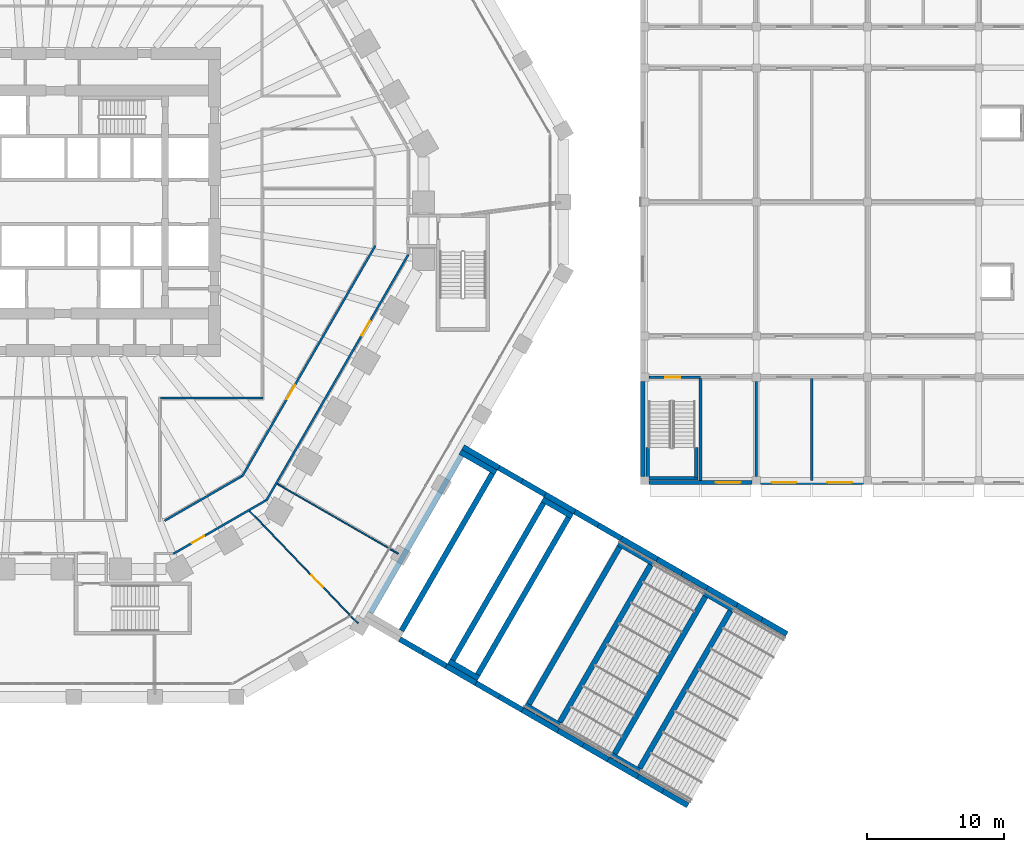
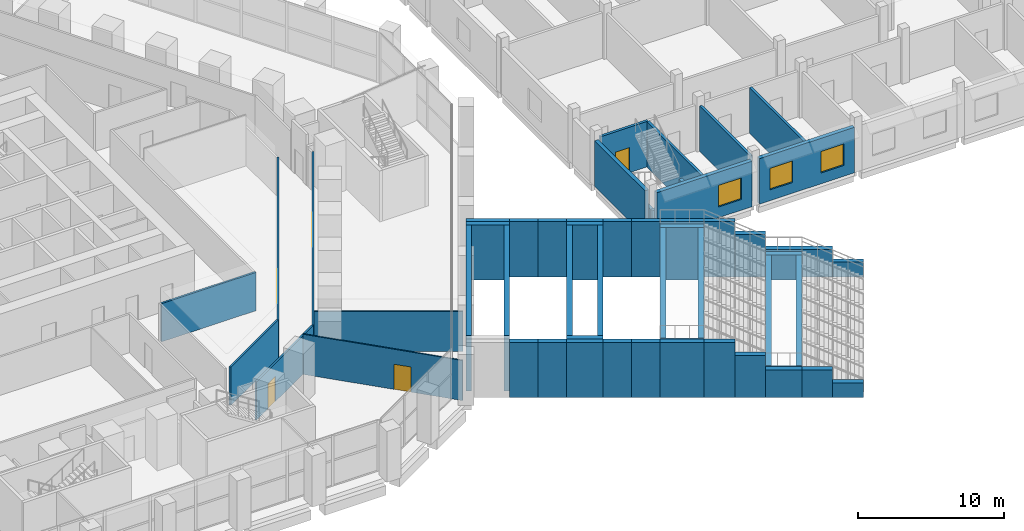
# One storey, part 22 of 38: 55 walls, 5 doors, 3 windows, 8 openings.
"""IFC4 building model written with IfcOpenShell, lengths in metres."""

from ifc_helpers import new_model, si_unit, direction, frame, frame_2d, origin, place, context, subcontext, project, spatial, rectangle, extrude, material, layer, layer_set, type_object, element, fill, save


model = new_model("IFC4")

# Units and contexts
model_context = context("Model", 3, precision=1e-05, world=origin(), true_north=direction((0.0, 1.0)))
body_context = subcontext(model_context, "Body", "Model", "MODEL_VIEW")
ifc_project = project(units=[si_unit("LENGTHUNIT", "METRE"), si_unit("AREAUNIT", "SQUARE_METRE"), si_unit("VOLUMEUNIT", "CUBIC_METRE"), si_unit("PLANEANGLEUNIT", "RADIAN"), si_unit("MASSUNIT", "GRAM", prefix="KILO")], contexts=[model_context])

# Site, building, storey
site_placement = place(None, origin())
site = spatial("IfcSite", under=ifc_project, at=site_placement, CompositionType="ELEMENT")
building_placement = place(site_placement, origin())
building = spatial("IfcBuilding", under=site, at=building_placement, Name="Frailejon Research Tower", CompositionType="ELEMENT")
storey_placement = place(building_placement, frame((0.0, 0.0, 5.60009765625)))
storey = spatial("IfcBuildingStorey", under=building, at=storey_placement, Name="L01", CompositionType="ELEMENT", Elevation=5.60009765625)

# Wall, opening, door
ifc_material_1 = material(Name="Gypsum board and masonry partition", Category="masonry")
ifc_layer_1 = layer(ifc_material_1, 0.14990234375)
ifc_layer_set_1 = layer_set([ifc_layer_1], Name="Corridor wall EI 60, gypsum on steel studs 150")
wall_type_1 = type_object("IfcWallType", Name="Corridor wall EI 60, gypsum on steel studs 150", PredefinedType="PARTITIONING", material=ifc_layer_set_1)
wall_1_placement = place(storey_placement, frame((10.206787109375, -25.58740234375, 0.0), z_axis=(0.0, 0.0, 1.0), x_axis=(0.866023143435, 0.50000391502, 0.0)))
wall_1 = element("IfcWall", 1, at=wall_1_placement, inside=storey, type_object=wall_type_1, Name="T:IW:L01:034", PredefinedType="PARTITIONING", context=body_context, shape_type="SweptSolid", body=[
    extrude(rectangle(XDim=7.7587890625, YDim=0.14990234375, at=frame_2d((3.87939453125, 0.0))), origin(), (0.0, 0.0, 1.0), 3.199951171875),
])
opening_1_placement = place(wall_1_placement, frame((1.564697265625, 0.0, 0.0)))
opening_1 = element("IfcOpeningElement", 2, at=opening_1_placement, cuts=wall_1, Name="Opening D1051", PredefinedType="OPENING", context=body_context, shape_type="SweptSolid", body=[
    extrude(rectangle(XDim=1.0, YDim=2.10009765625, at=frame_2d((0.5, 1.050048828125))), frame((0.0, 0.0849609375, 0.0), z_axis=(0.0, -1.0, 0.0), x_axis=(1.0, 0.0, 0.0)), (0.0, 0.0, 1.0), 0.169921875),
])
ifc_material_2 = material(Name="Timber door leaf", Category="wood")
door_type_1 = type_object("IfcDoorType", Name="Door single leaf, timber, steel frame 1000", OperationType="NOTDEFINED", PredefinedType="DOOR", material=ifc_material_2)
door_1_placement = place(opening_1_placement, origin())
door_1 = element("IfcDoor", 3, at=door_1_placement, inside=storey, type_object=door_type_1, Name="D1051", OperationType="SINGLE_SWING_RIGHT", OverallHeight=2.10009765625, OverallWidth=1.0, PredefinedType="DOOR", context=body_context, shape_type="SweptSolid", body=[
    extrude(rectangle(XDim=1.0, YDim=2.10009765625, at=frame_2d((0.5, 1.050048828125))), frame((0.0, 0.02490234375, 0.0), z_axis=(0.0, -1.0, 0.0), x_axis=(1.0, 0.0, 0.0)), (0.0, 0.0, 1.0), 0.050048828125),
])
fill(opening_1, door_1)

wall_2_placement = place(storey_placement, frame((16.95361328125, -21.735595703125, 0.0), z_axis=(0.0, 0.0, 1.0), x_axis=(0.499996491498, 0.86602742941, 0.0)))
wall_2 = element("IfcWall", 4, at=wall_2_placement, inside=storey, type_object=wall_type_1, Name="T:IW:L01:035", PredefinedType="PARTITIONING", context=body_context, shape_type="SweptSolid", body=[
    extrude(rectangle(XDim=20.693603515625, YDim=0.14990234375, at=frame_2d((10.3466796875, 0.0))), origin(), (0.0, 0.0, 1.0), 3.199951171875),
])
opening_2_placement = place(wall_2_placement, frame((13.895751953125, 0.0, 0.0)))
opening_2 = element("IfcOpeningElement", 5, at=opening_2_placement, cuts=wall_2, Name="Opening D1054", PredefinedType="OPENING", context=body_context, shape_type="SweptSolid", body=[
    extrude(rectangle(XDim=1.199951171875, YDim=2.10009765625, at=frame_2d((0.60009765625, 1.050048828125))), frame((0.0, 0.0849609375, 0.0), z_axis=(0.0, -1.0, 0.0), x_axis=(1.0, 0.0, 0.0)), (0.0, 0.0, 1.0), 0.169921875),
])
ifc_material_3 = material(Name="Timber door leaf", Category="wood")
door_type_2 = type_object("IfcDoorType", Name="Door single leaf, timber, steel frame 1200", OperationType="NOTDEFINED", PredefinedType="DOOR", material=ifc_material_3)
door_2_placement = place(opening_2_placement, origin())
door_2 = element("IfcDoor", 6, at=door_2_placement, inside=storey, type_object=door_type_2, Name="D1054", OperationType="DOUBLE_DOOR_SINGLE_SWING", OverallHeight=2.10009765625, OverallWidth=1.199951171875, PredefinedType="DOOR", context=body_context, shape_type="SweptSolid", body=[
    extrude(rectangle(XDim=1.199951171875, YDim=2.10009765625, at=frame_2d((0.60009765625, 1.050048828125))), frame((0.0, 0.02490234375, 0.0), z_axis=(0.0, -1.0, 0.0), x_axis=(1.0, 0.0, 0.0)), (0.0, 0.0, 1.0), 0.050048828125),
])
fill(opening_2, door_2)

# Wall
wall_3_placement = place(storey_placement, frame((9.563720703125, -23.1875, 0.0), z_axis=(0.0, 0.0, 1.0), x_axis=(0.866024786089, 0.500001069878, 0.0)))
element("IfcWall", 7, at=wall_3_placement, inside=storey, type_object=wall_type_1, Name="T:IW:L01:036", PredefinedType="PARTITIONING", context=body_context, shape_type="SweptSolid", body=[
    extrude(rectangle(XDim=6.47265625, YDim=0.14990234375, at=frame_2d((3.236328125, 0.0))), origin(), (0.0, 0.0, 1.0), 3.199951171875),
])

# Wall, opening, door
wall_4_placement = place(storey_placement, frame((15.19677734375, -19.978515625, 0.0), z_axis=(0.0, 0.0, 1.0), x_axis=(0.500000497866, 0.866025116341, 0.0)))
wall_4 = element("IfcWall", 8, at=wall_4_placement, inside=storey, type_object=wall_type_1, Name="T:IW:L01:037", PredefinedType="PARTITIONING", context=body_context, shape_type="SweptSolid", body=[
    extrude(rectangle(XDim=19.4072265625, YDim=0.14990234375, at=frame_2d((9.70361328125, 0.0))), origin(), (0.0, 0.0, 1.0), 3.199951171875),
])
opening_3_placement = place(wall_4_placement, frame((6.5, 0.0, 0.0)))
opening_3 = element("IfcOpeningElement", 9, at=opening_3_placement, cuts=wall_4, Name="Opening D1053", PredefinedType="OPENING", context=body_context, shape_type="SweptSolid", body=[
    extrude(rectangle(XDim=1.199951171875, YDim=2.10009765625, at=frame_2d((0.60009765625, 1.050048828125))), frame((0.0, 0.0849609375, 0.0), z_axis=(0.0, -1.0, 0.0), x_axis=(1.0, 0.0, 0.0)), (0.0, 0.0, 1.0), 0.169921875),
])
door_3_placement = place(opening_3_placement, origin())
door_3 = element("IfcDoor", 10, at=door_3_placement, inside=storey, type_object=door_type_2, Name="D1053", OperationType="DOUBLE_DOOR_SINGLE_SWING", OverallHeight=2.10009765625, OverallWidth=1.199951171875, PredefinedType="DOOR", context=body_context, shape_type="SweptSolid", body=[
    extrude(rectangle(XDim=1.199951171875, YDim=2.10009765625, at=frame_2d((0.60009765625, 1.050048828125))), frame((0.0, 0.02490234375, 0.0), z_axis=(0.0, -1.0, 0.0), x_axis=(1.0, 0.0, 0.0)), (0.0, 0.0, 1.0), 0.050048828125),
])
fill(opening_3, door_3)

# Wall
wall_5_placement = place(storey_placement, frame((9.27490234375, -14.25, 0.0), z_axis=(0.0, 0.0, 1.0), x_axis=(1.0, 0.0, 0.0)))
element("IfcWall", 11, at=wall_5_placement, inside=storey, type_object=wall_type_1, Name="T:IW:L01:049", PredefinedType="PARTITIONING", context=body_context, shape_type="SweptSolid", body=[
    extrude(rectangle(XDim=7.4501953125, YDim=0.14990234375, at=frame_2d((3.72509765625, 0.0))), origin(), (0.0, 0.0, 1.0), 3.199951171875),
])

# Wall, opening, window
ifc_material_4 = material(Name="Insulated masonry cavity wall", Category="masonry")
ifc_layer_2 = layer(ifc_material_4, 0.300048828125)
ifc_layer_set_2 = layer_set([ifc_layer_2], Name="HC facade wall 300")
wall_type_2 = type_object("IfcWallType", Name="HC facade wall 300", PredefinedType="SOLIDWALL", material=ifc_layer_set_2)
wall_6_placement = place(storey_placement, frame((44.800048828125, -20.39990234375, 0.0), z_axis=(0.0, 0.0, 1.0), x_axis=(1.0, 0.0, 0.0)))
wall_6 = element("IfcWall", 12, at=wall_6_placement, inside=storey, type_object=wall_type_2, Name="HC facade wall", PredefinedType="SOLIDWALL", context=body_context, shape_type="SweptSolid", body=[
    extrude(rectangle(XDim=7.5, YDim=0.300048828125, at=frame_2d((3.75, 0.0))), origin(), (0.0, 0.0, 1.0), 3.7998046875),
])
opening_4_placement = place(wall_6_placement, frame((4.875, 0.0, 0.89990234375)))
opening_4 = element("IfcOpeningElement", 13, at=opening_4_placement, cuts=wall_6, Name="Opening HW101", PredefinedType="OPENING", context=body_context, shape_type="SweptSolid", body=[
    extrude(rectangle(XDim=1.800048828125, YDim=1.800048828125, at=frame_2d((0.89990234375, 0.89990234375))), frame((0.0, 0.159912109375, 0.0), z_axis=(0.0, -1.0, 0.0), x_axis=(1.0, 0.0, 0.0)), (0.0, 0.0, 1.0), 0.320068359375),
])
ifc_material_5 = material(Name="Aluminium framed double glazing", Category="aluminium")
window_type = type_object("IfcWindowType", Name="HC window 1800x1800", PartitioningType="SINGLE_PANEL", PredefinedType="WINDOW", material=ifc_material_5)
window_1_placement = place(opening_4_placement, origin())
window_1 = element("IfcWindow", 14, at=window_1_placement, inside=storey, type_object=window_type, Name="Window HW101 (HCW1)", OverallHeight=1.800048828125, OverallWidth=1.800048828125, PartitioningType="SINGLE_PANEL", PredefinedType="WINDOW", context=body_context, shape_type="SweptSolid", body=[
    extrude(rectangle(XDim=1.800048828125, YDim=1.800048828125, at=frame_2d((0.89990234375, 0.89990234375))), frame((0.0, 0.030029296875, 0.0), z_axis=(0.0, -1.0, 0.0), x_axis=(1.0, 0.0, 0.0)), (0.0, 0.0, 1.0), 0.06005859375),
])
fill(opening_4, window_1)

# Wall, openings, windows
wall_7_placement = place(storey_placement, frame((52.89990234375, -20.39990234375, 0.0), z_axis=(0.0, 0.0, 1.0), x_axis=(1.0, 0.0, 0.0)))
wall_7 = element("IfcWall", 15, at=wall_7_placement, inside=storey, type_object=wall_type_2, Name="HC facade wall", PredefinedType="SOLIDWALL", context=body_context, shape_type="SweptSolid", body=[
    extrude(rectangle(XDim=7.5, YDim=0.300048828125, at=frame_2d((3.75, 0.0))), origin(), (0.0, 0.0, 1.0), 3.7998046875),
])
opening_5_placement = place(wall_7_placement, frame((0.824951171875, 0.0, 0.89990234375)))
opening_5 = element("IfcOpeningElement", 16, at=opening_5_placement, cuts=wall_7, Name="Opening HW102", PredefinedType="OPENING", context=body_context, shape_type="SweptSolid", body=[
    extrude(rectangle(XDim=1.800048828125, YDim=1.800048828125, at=frame_2d((0.89990234375, 0.89990234375))), frame((0.0, 0.159912109375, 0.0), z_axis=(0.0, -1.0, 0.0), x_axis=(1.0, 0.0, 0.0)), (0.0, 0.0, 1.0), 0.320068359375),
])
opening_6_placement = place(wall_7_placement, frame((4.875, 0.0, 0.89990234375)))
opening_6 = element("IfcOpeningElement", 17, at=opening_6_placement, cuts=wall_7, Name="Opening HW103", PredefinedType="OPENING", context=body_context, shape_type="SweptSolid", body=[
    extrude(rectangle(XDim=1.800048828125, YDim=1.800048828125, at=frame_2d((0.89990234375, 0.89990234375))), frame((0.0, 0.159912109375, 0.0), z_axis=(0.0, -1.0, 0.0), x_axis=(1.0, 0.0, 0.0)), (0.0, 0.0, 1.0), 0.320068359375),
])
window_2_placement = place(opening_5_placement, origin())
window_2 = element("IfcWindow", 18, at=window_2_placement, inside=storey, type_object=window_type, Name="Window HW102 (HCW1)", OverallHeight=1.800048828125, OverallWidth=1.800048828125, PartitioningType="SINGLE_PANEL", PredefinedType="WINDOW", context=body_context, shape_type="SweptSolid", body=[
    extrude(rectangle(XDim=1.800048828125, YDim=1.800048828125, at=frame_2d((0.89990234375, 0.89990234375))), frame((0.0, 0.030029296875, 0.0), z_axis=(0.0, -1.0, 0.0), x_axis=(1.0, 0.0, 0.0)), (0.0, 0.0, 1.0), 0.06005859375),
])
fill(opening_5, window_2)
window_3_placement = place(opening_6_placement, origin())
window_3 = element("IfcWindow", 19, at=window_3_placement, inside=storey, type_object=window_type, Name="Window HW103 (HCW1)", OverallHeight=1.800048828125, OverallWidth=1.800048828125, PartitioningType="SINGLE_PANEL", PredefinedType="WINDOW", context=body_context, shape_type="SweptSolid", body=[
    extrude(rectangle(XDim=1.800048828125, YDim=1.800048828125, at=frame_2d((0.89990234375, 0.89990234375))), frame((0.0, 0.030029296875, 0.0), z_axis=(0.0, -1.0, 0.0), x_axis=(1.0, 0.0, 0.0)), (0.0, 0.0, 1.0), 0.06005859375),
])
fill(opening_6, window_3)

# Wall
wall_8_placement = place(storey_placement, frame((44.35009765625, -19.949951171875, 0.0), z_axis=(0.0, 0.0, 1.0), x_axis=(0.0, 1.0, 0.0)))
element("IfcWall", 20, at=wall_8_placement, inside=storey, type_object=wall_type_2, Name="HC facade wall", PredefinedType="SOLIDWALL", context=body_context, shape_type="SweptSolid", body=[
    extrude(rectangle(XDim=6.89990234375, YDim=0.300048828125, at=frame_2d((3.449951171875, 0.0))), origin(), (0.0, 0.0, 1.0), 3.7998046875),
])

# Wall, opening, door
ifc_material_6 = material(Name="Concrete C35/45", Category="concrete")
ifc_layer_3 = layer(ifc_material_6, 0.199951171875)
ifc_layer_set_3 = layer_set([ifc_layer_3], Name="HC fire wall 200")
wall_type_3 = type_object("IfcWallType", Name="HC fire wall 200", PredefinedType="SOLIDWALL", material=ifc_layer_set_3)
wall_9_placement = place(storey_placement, frame((44.800048828125, -12.75, 0.0), z_axis=(0.0, 0.0, 1.0), x_axis=(1.0, 0.0, 0.0)))
wall_9 = element("IfcWall", 21, at=wall_9_placement, inside=storey, type_object=wall_type_3, Name="HC fire-resisting wall", PredefinedType="SOLIDWALL", context=body_context, shape_type="SweptSolid", body=[
    extrude(rectangle(XDim=3.75, YDim=0.199951171875, at=frame_2d((1.875, 0.0))), origin(), (0.0, 0.0, 1.0), 3.7998046875),
])
opening_7_placement = place(wall_9_placement, frame((1.175048828125, 0.0, 0.0)))
opening_7 = element("IfcOpeningElement", 22, at=opening_7_placement, cuts=wall_9, Name="Opening HD103", PredefinedType="OPENING", context=body_context, shape_type="SweptSolid", body=[
    extrude(rectangle(XDim=1.10009765625, YDim=2.10009765625, at=frame_2d((0.550048828125, 1.050048828125))), frame((0.0, 0.10986328125, 0.0), z_axis=(0.0, -1.0, 0.0), x_axis=(1.0, 0.0, 0.0)), (0.0, 0.0, 1.0), 0.219970703125),
])
ifc_material_7 = material(Name="Steel fire door leaf", Category="steel")
door_type_3 = type_object("IfcDoorType", Name="HC stair door 1100 right", OperationType="SINGLE_SWING_RIGHT", PredefinedType="DOOR", material=ifc_material_7)
door_4_placement = place(opening_7_placement, origin())
door_4 = element("IfcDoor", 23, at=door_4_placement, inside=storey, type_object=door_type_3, Name="Door HD103", OperationType="SINGLE_SWING_RIGHT", OverallHeight=2.10009765625, OverallWidth=1.10009765625, PredefinedType="DOOR", context=body_context, shape_type="SweptSolid", body=[
    extrude(rectangle(XDim=1.10009765625, YDim=2.10009765625, at=frame_2d((0.550048828125, 1.050048828125))), frame((0.0, 0.02490234375, 0.0), z_axis=(0.0, -1.0, 0.0), x_axis=(1.0, 0.0, 0.0)), (0.0, 0.0, 1.0), 0.050048828125),
])
fill(opening_7, door_4)

# Walls
wall_10_placement = place(storey_placement, frame((48.550048828125, -20.25, 0.0), z_axis=(0.0, 0.0, 1.0), x_axis=(0.0, 1.0, 0.0)))
element("IfcWall", 24, at=wall_10_placement, inside=storey, type_object=wall_type_3, Name="HC fire-resisting wall", PredefinedType="SOLIDWALL", context=body_context, shape_type="SweptSolid", body=[
    extrude(rectangle(XDim=7.39990234375, YDim=0.199951171875, at=frame_2d((3.699951171875, 0.0))), origin(), (0.0, 0.0, 1.0), 3.7998046875),
])
ifc_material_8 = material(Name="Masonry blockwork partition", Category="masonry")
ifc_layer_4 = layer(ifc_material_8, 0.199951171875)
ifc_layer_set_4 = layer_set([ifc_layer_4], Name="HC partition 200")
wall_type_4 = type_object("IfcWallType", Name="HC partition 200", PredefinedType="PARTITIONING", material=ifc_layer_set_4)
wall_11_placement = place(storey_placement, frame((52.60009765625, -19.949951171875, 0.0), z_axis=(0.0, 0.0, 1.0), x_axis=(0.0, 1.0, 0.0)))
element("IfcWall", 25, at=wall_11_placement, inside=storey, type_object=wall_type_4, Name="HC partition", PredefinedType="PARTITIONING", context=body_context, shape_type="SweptSolid", body=[
    extrude(rectangle(XDim=6.89990234375, YDim=0.199951171875, at=frame_2d((3.449951171875, 0.0))), origin(), (0.0, 0.0, 1.0), 3.7998046875),
])
wall_12_placement = place(storey_placement, frame((56.64990234375, -20.25, 0.0), z_axis=(0.0, 0.0, 1.0), x_axis=(0.0, 1.0, 0.0)))
element("IfcWall", 26, at=wall_12_placement, inside=storey, type_object=wall_type_4, Name="HC partition", PredefinedType="PARTITIONING", context=body_context, shape_type="SweptSolid", body=[
    extrude(rectangle(XDim=7.39990234375, YDim=0.199951171875, at=frame_2d((3.699951171875, 0.0))), origin(), (0.0, 0.0, 1.0), 3.7998046875),
])
ifc_material_9 = material(Name="Concrete C35/45", Category="concrete")
ifc_layer_5 = layer(ifc_material_9, 0.25)
ifc_layer_set_5 = layer_set([ifc_layer_5], Name="HC stair landing wall 250")
wall_type_5 = type_object("IfcWallType", Name="HC stair landing wall 250", PredefinedType="SOLIDWALL", material=ifc_layer_set_5)
for number, where, z_axis, x_axis, name in (
    (27, (44.72509765625, -20.02001953125, 0.0), (0.0, 0.0, 1.0), (0.0, 1.0, 0.0), "HC stair landing wall"),
    (28, (48.22509765625, -20.02001953125, 0.0), (0.0, 0.0, 1.0), (0.0, 1.0, 0.0), "HC stair landing wall"),
):
    element("IfcWall", number, at=place(storey_placement, frame(where, z_axis=z_axis, x_axis=x_axis)), inside=storey, type_object=wall_type_5, Name=name, PredefinedType="SOLIDWALL", context=body_context, shape_type="SweptSolid", body=[
        extrude(rectangle(XDim=2.159912109375, YDim=0.25, at=frame_2d((1.080078125, 0.0))), origin(), (0.0, 0.0, 1.0), 2.14990234375),
    ])
wall_13_placement = place(storey_placement, frame((44.60009765625, -20.094970703125, 0.0), z_axis=(0.0, 0.0, 1.0), x_axis=(1.0, 0.0, 0.0)))
element("IfcWall", 29, at=wall_13_placement, inside=storey, type_object=wall_type_5, Name="HC stair landing wall", PredefinedType="SOLIDWALL", context=body_context, shape_type="SweptSolid", body=[
    extrude(rectangle(XDim=3.75, YDim=0.25, at=frame_2d((1.875, 0.0))), origin(), (0.0, 0.0, 1.0), 2.14990234375),
])
ifc_material_10 = material(Name="Gypsum board and masonry partition", Category="masonry")
ifc_layer_6 = layer(ifc_material_10, 0.10009765625)
ifc_layer_set_6 = layer_set([ifc_layer_6], Name="Partition, gypsum on steel studs 100")
wall_type_6 = type_object("IfcWallType", Name="Partition, gypsum on steel studs 100", PredefinedType="PARTITIONING", material=ifc_layer_set_6)
wall_14_placement = place(storey_placement, frame((17.756591796875, -20.494873046875, 0.0), z_axis=(0.0, 0.0, 1.0), x_axis=(0.866028554658, -0.499994542487, 0.0)))
element("IfcWall", 30, at=wall_14_placement, inside=storey, type_object=wall_type_6, Name="T:IW:L01:080", PredefinedType="PARTITIONING", context=body_context, shape_type="SweptSolid", body=[
    extrude(rectangle(XDim=10.1748046875, YDim=0.10009765625, at=frame_2d((5.08740234375, 0.0))), origin(), (0.0, 0.0, 1.0), 3.349853515625),
])

# Wall, opening, door
wall_15_placement = place(storey_placement, frame((15.744140625, -22.474609375, 0.0), z_axis=(0.0, 0.0, 1.0), x_axis=(0.694530893364, -0.719462881713, 0.0)))
wall_15 = element("IfcWall", 31, at=wall_15_placement, inside=storey, type_object=wall_type_6, Name="T:IW:L01:087", PredefinedType="PARTITIONING", context=body_context, shape_type="SweptSolid", body=[
    extrude(rectangle(XDim=11.368896484375, YDim=0.10009765625, at=frame_2d((5.6845703125, 0.0))), origin(), (0.0, 0.0, 1.0), 3.349853515625),
])
opening_8_placement = place(wall_15_placement, frame((6.478515625, 0.0, 0.0)))
opening_8 = element("IfcOpeningElement", 32, at=opening_8_placement, cuts=wall_15, Name="Opening D1052", PredefinedType="OPENING", context=body_context, shape_type="SweptSolid", body=[
    extrude(rectangle(XDim=1.199951171875, YDim=2.10009765625, at=frame_2d((0.60009765625, 1.050048828125))), frame((0.0, 0.06005859375, 0.0), z_axis=(0.0, -1.0, 0.0), x_axis=(1.0, 0.0, 0.0)), (0.0, 0.0, 1.0), 0.1201171875),
])
door_5_placement = place(opening_8_placement, origin())
door_5 = element("IfcDoor", 33, at=door_5_placement, inside=storey, type_object=door_type_2, Name="D1052", OperationType="DOUBLE_DOOR_SINGLE_SWING", OverallHeight=2.10009765625, OverallWidth=1.199951171875, PredefinedType="DOOR", context=body_context, shape_type="SweptSolid", body=[
    extrude(rectangle(XDim=1.199951171875, YDim=2.10009765625, at=frame_2d((0.60009765625, 1.050048828125))), frame((0.0, 0.02490234375, 0.0), z_axis=(0.0, -1.0, 0.0), x_axis=(1.0, 0.0, 0.0)), (0.0, 0.0, 1.0), 0.050048828125),
])
fill(opening_8, door_5)

# Walls
ifc_material_11 = material(Name="Concrete C35/45", Category="concrete")
ifc_layer_7 = layer(ifc_material_11, 0.39990234375)
ifc_layer_set_7 = layer_set([ifc_layer_7], Name="Stair plinth wall 400")
wall_type_7 = type_object("IfcWallType", Name="Stair plinth wall 400", PredefinedType="SOLIDWALL", material=ifc_layer_set_7)
wall_16_placement = place(storey_placement, frame((31.076904296875, -18.173095703125, 0.0), z_axis=(0.0, 0.0, 1.0), x_axis=(0.866031096941, -0.499990139034, 0.0)))
element("IfcWall", 34, at=wall_16_placement, inside=storey, type_object=wall_type_7, Name="Broad stair E plinth", PredefinedType="SOLIDWALL", context=body_context, shape_type="SweptSolid", body=[
    extrude(rectangle(XDim=3.0, YDim=0.39990234375, at=frame_2d((1.5, 0.0))), origin(), (0.0, 0.0, 1.0), 4.599853515625),
])
for number, where, z_axis, x_axis, name in (
    (35, (24.550048828125, -29.8779296875, 0.0), (0.0, 0.0, 1.0), (0.500002094529, 0.866024194504, 0.0), "Broad stair E plinth"),
    (36, (26.8017578125, -31.177978515625, 0.0), (0.0, 0.0, 1.0), (0.500002094529, 0.866024194504, 0.0), "Broad stair E plinth"),
):
    element("IfcWall", number, at=place(storey_placement, frame(where, z_axis=z_axis, x_axis=x_axis)), inside=storey, type_object=wall_type_7, Name=name, PredefinedType="SOLIDWALL", context=body_context, shape_type="SweptSolid", body=[
        extrude(rectangle(XDim=13.2001953125, YDim=0.39990234375, at=frame_2d((6.60009765625, 0.0))), origin(), (0.0, 0.0, 1.0), 4.599853515625),
    ])
for number, where, z_axis, x_axis, name in (
    (37, (30.25244140625, -33.401123046875, 0.0), (0.0, 0.0, 1.0), (0.866022959057, -0.500004234368, 0.0), "Broad stair E plinth"),
    (38, (37.052490234375, -21.623291015625, 0.0), (0.0, 0.0, 1.0), (0.866022959057, -0.500004234368, 0.0), "Broad stair E plinth"),
):
    element("IfcWall", number, at=place(storey_placement, frame(where, z_axis=z_axis, x_axis=x_axis)), inside=storey, type_object=wall_type_7, Name=name, PredefinedType="SOLIDWALL", context=body_context, shape_type="SweptSolid", body=[
        extrude(rectangle(XDim=2.5, YDim=0.39990234375, at=frame_2d((1.25, 0.0))), origin(), (0.0, 0.0, 1.0), 4.599853515625),
    ])
wall_17_placement = place(storey_placement, frame((30.525634765625, -33.327880859375, 0.0), z_axis=(0.0, 0.0, 1.0), x_axis=(0.500010103361, 0.866019570528, 0.0)))
element("IfcWall", 39, at=wall_17_placement, inside=storey, type_object=wall_type_7, Name="Broad stair E plinth", PredefinedType="SOLIDWALL", context=body_context, shape_type="SweptSolid", body=[
    extrude(rectangle(XDim=13.199951171875, YDim=0.39990234375, at=frame_2d((6.60009765625, 0.0))), origin(), (0.0, 0.0, 1.0), 4.599853515625),
])
wall_18_placement = place(storey_placement, frame((32.34423828125, -34.3779296875, 0.0), z_axis=(0.0, 0.0, 1.0), x_axis=(0.500002094529, 0.866024194504, 0.0)))
element("IfcWall", 40, at=wall_18_placement, inside=storey, type_object=wall_type_7, Name="Broad stair E plinth", PredefinedType="SOLIDWALL", context=body_context, shape_type="SweptSolid", body=[
    extrude(rectangle(XDim=13.2001953125, YDim=0.39990234375, at=frame_2d((6.60009765625, 0.0))), origin(), (0.0, 0.0, 1.0), 4.599853515625),
])
for number, where, z_axis, x_axis, name in (
    (41, (35.795166015625, -36.601318359375, 0.0), (0.0, 0.0, 1.0), (0.866010750942, -0.50002537861, 0.0), "Broad stair E plinth"),
    (42, (42.59521484375, -24.8232421875, 0.0), (0.0, 0.0, 1.0), (0.866010750942, -0.50002537861, 0.0), "Broad stair E plinth"),
):
    element("IfcWall", number, at=place(storey_placement, frame(where, z_axis=z_axis, x_axis=x_axis)), inside=storey, type_object=wall_type_7, Name=name, PredefinedType="SOLIDWALL", context=body_context, shape_type="SweptSolid", body=[
        extrude(rectangle(XDim=2.999755859375, YDim=0.39990234375, at=frame_2d((1.5, 0.0))), origin(), (0.0, 0.0, 1.0), 4.39990234375),
    ])
wall_19_placement = place(storey_placement, frame((36.068359375, -36.52783203125, 0.0), z_axis=(0.0, 0.0, 1.0), x_axis=(0.499996231654, 0.866027579429, 0.0)))
element("IfcWall", 43, at=wall_19_placement, inside=storey, type_object=wall_type_7, Name="Broad stair E plinth", PredefinedType="SOLIDWALL", context=body_context, shape_type="SweptSolid", body=[
    extrude(rectangle(XDim=13.19970703125, YDim=0.39990234375, at=frame_2d((6.599853515625, 0.0))), origin(), (0.0, 0.0, 1.0), 4.39990234375),
])
wall_20_placement = place(storey_placement, frame((38.31982421875, -37.827880859375, 0.0), z_axis=(0.0, 0.0, 1.0), x_axis=(0.500010103361, 0.866019570528, 0.0)))
element("IfcWall", 44, at=wall_20_placement, inside=storey, type_object=wall_type_7, Name="Broad stair E plinth", PredefinedType="SOLIDWALL", context=body_context, shape_type="SweptSolid", body=[
    extrude(rectangle(XDim=13.199951171875, YDim=0.39990234375, at=frame_2d((6.60009765625, 0.0))), origin(), (0.0, 0.0, 1.0), 4.39990234375),
])
wall_21_placement = place(storey_placement, frame((42.030517578125, -40.201171875, 0.0), z_axis=(0.0, 0.0, 1.0), x_axis=(0.866022959057, -0.500004234368, 0.0)))
element("IfcWall", 45, at=wall_21_placement, inside=storey, type_object=wall_type_7, Name="Broad stair E plinth", PredefinedType="SOLIDWALL", context=body_context, shape_type="SweptSolid", body=[
    extrude(rectangle(XDim=2.5, YDim=0.39990234375, at=frame_2d((1.25, 0.0))), origin(), (0.0, 0.0, 1.0), 2.099853515625),
])
wall_22_placement = place(storey_placement, frame((48.830322265625, -28.423095703125, 0.0), z_axis=(0.0, 0.0, 1.0), x_axis=(0.866047370643, -0.499961950354, 0.0)))
element("IfcWall", 46, at=wall_22_placement, inside=storey, type_object=wall_type_7, Name="Broad stair E plinth", PredefinedType="SOLIDWALL", context=body_context, shape_type="SweptSolid", body=[
    extrude(rectangle(XDim=2.500244140625, YDim=0.39990234375, at=frame_2d((1.25, 0.0))), origin(), (0.0, 0.0, 1.0), 2.099853515625),
])
wall_23_placement = place(storey_placement, frame((42.3037109375, -40.1279296875, 0.0), z_axis=(0.0, 0.0, 1.0), x_axis=(0.499988222896, 0.866032203192, 0.0)))
element("IfcWall", 47, at=wall_23_placement, inside=storey, type_object=wall_type_7, Name="Broad stair E plinth", PredefinedType="SOLIDWALL", context=body_context, shape_type="SweptSolid", body=[
    extrude(rectangle(XDim=13.199951171875, YDim=0.39990234375, at=frame_2d((6.60009765625, 0.0))), origin(), (0.0, 0.0, 1.0), 2.099853515625),
])
wall_24_placement = place(storey_placement, frame((44.122314453125, -41.177978515625, 0.0), z_axis=(0.0, 0.0, 1.0), x_axis=(0.500002094529, 0.866024194504, 0.0)))
element("IfcWall", 48, at=wall_24_placement, inside=storey, type_object=wall_type_7, Name="Broad stair E plinth", PredefinedType="SOLIDWALL", context=body_context, shape_type="SweptSolid", body=[
    extrude(rectangle(XDim=13.2001953125, YDim=0.39990234375, at=frame_2d((6.60009765625, 0.0))), origin(), (0.0, 0.0, 1.0), 2.099853515625),
])
wall_25_placement = place(storey_placement, frame((31.27685546875, -17.826904296875, 0.0), z_axis=(0.0, 0.0, 1.0), x_axis=(0.866031096941, -0.499990139034, 0.0)))
element("IfcWall", 49, at=wall_25_placement, inside=storey, type_object=wall_type_7, Name="Broad stair E cheek wall", PredefinedType="SOLIDWALL", context=body_context, shape_type="SweptSolid", body=[
    extrude(rectangle(XDim=3.0, YDim=0.39990234375, at=frame_2d((1.5, 0.0))), origin(), (0.0, 0.0, 1.0), 4.599853515625),
])
for number, where, z_axis, x_axis, name in (
    (50, (26.675048828125, -31.797607421875, 0.0), (0.0, 0.0, 1.0), (0.866000020948, -0.500043961785, 0.0), "Broad stair E cheek wall"),
    (51, (33.875, -19.326904296875, 0.0), (0.0, 0.0, 1.0), (0.866054235095, -0.49995005938, 0.0), "Broad stair E cheek wall"),
    (52, (28.36376953125, -32.772705078125, 0.0), (0.0, 0.0, 1.0), (0.866054235095, -0.49995005938, 0.0), "Broad stair E cheek wall"),
    (53, (35.563720703125, -20.3017578125, 0.0), (0.0, 0.0, 1.0), (0.866000020948, -0.500043961785, 0.0), "Broad stair E cheek wall"),
):
    element("IfcWall", number, at=place(storey_placement, frame(where, z_axis=z_axis, x_axis=x_axis)), inside=storey, type_object=wall_type_7, Name=name, PredefinedType="SOLIDWALL", context=body_context, shape_type="SweptSolid", body=[
        extrude(rectangle(XDim=1.949951171875, YDim=0.39990234375, at=frame_2d((0.97509765625, 0.0))), origin(), (0.0, 0.0, 1.0), 4.599853515625),
    ])
for number, where, z_axis, x_axis, name in (
    (54, (30.052490234375, -33.74755859375, 0.0), (0.0, 0.0, 1.0), (0.866022959057, -0.500004234368, 0.0), "Broad stair E cheek wall"),
    (55, (37.25244140625, -21.27685546875, 0.0), (0.0, 0.0, 1.0), (0.866022959057, -0.500004234368, 0.0), "Broad stair E cheek wall"),
):
    element("IfcWall", number, at=place(storey_placement, frame(where, z_axis=z_axis, x_axis=x_axis)), inside=storey, type_object=wall_type_7, Name=name, PredefinedType="SOLIDWALL", context=body_context, shape_type="SweptSolid", body=[
        extrude(rectangle(XDim=2.5, YDim=0.39990234375, at=frame_2d((1.25, 0.0))), origin(), (0.0, 0.0, 1.0), 4.599853515625),
    ])
for number, where, z_axis, x_axis, name in (
    (56, (32.217529296875, -34.99755859375, 0.0), (0.0, 0.0, 1.0), (0.866000020948, -0.500043961785, 0.0), "Broad stair E cheek wall"),
    (57, (39.41748046875, -22.52685546875, 0.0), (0.0, 0.0, 1.0), (0.866054235095, -0.49995005938, 0.0), "Broad stair E cheek wall"),
):
    element("IfcWall", number, at=place(storey_placement, frame(where, z_axis=z_axis, x_axis=x_axis)), inside=storey, type_object=wall_type_7, Name=name, PredefinedType="SOLIDWALL", context=body_context, shape_type="SweptSolid", body=[
        extrude(rectangle(XDim=1.949951171875, YDim=0.39990234375, at=frame_2d((0.97509765625, 0.0))), origin(), (0.0, 0.0, 1.0), 4.599853515625),
    ])
for number, where, z_axis, x_axis, name in (
    (58, (33.90625, -35.97265625, 0.0), (0.0, 0.0, 1.0), (0.866085525409, -0.49989585183, 0.0), "Broad stair E cheek wall"),
    (59, (41.106201171875, -23.501708984375, 0.0), (0.0, 0.0, 1.0), (0.866031321059, -0.49998975084, 0.0), "Broad stair E cheek wall"),
):
    element("IfcWall", number, at=place(storey_placement, frame(where, z_axis=z_axis, x_axis=x_axis)), inside=storey, type_object=wall_type_7, Name=name, PredefinedType="SOLIDWALL", context=body_context, shape_type="SweptSolid", body=[
        extrude(rectangle(XDim=1.9501953125, YDim=0.39990234375, at=frame_2d((0.97509765625, 0.0))), origin(), (0.0, 0.0, 1.0), 4.599853515625),
    ])
for number, where, z_axis, x_axis, name in (
    (60, (35.59521484375, -36.947509765625, 0.0), (0.0, 0.0, 1.0), (0.866010750942, -0.50002537861, 0.0), "Broad stair E cheek wall"),
    (61, (42.795166015625, -24.476806640625, 0.0), (0.0, 0.0, 1.0), (0.866010750942, -0.50002537861, 0.0), "Broad stair E cheek wall"),
):
    element("IfcWall", number, at=place(storey_placement, frame(where, z_axis=z_axis, x_axis=x_axis)), inside=storey, type_object=wall_type_7, Name=name, PredefinedType="SOLIDWALL", context=body_context, shape_type="SweptSolid", body=[
        extrude(rectangle(XDim=2.999755859375, YDim=0.39990234375, at=frame_2d((1.5, 0.0))), origin(), (0.0, 0.0, 1.0), 4.599853515625),
    ])
for number, where, z_axis, x_axis, name in (
    (62, (38.193115234375, -38.447509765625, 0.0), (0.0, 0.0, 1.0), (0.866009402589, -0.500027713859, 0.0), "Broad stair E cheek wall"),
    (63, (45.39306640625, -25.976806640625, 0.0), (0.0, 0.0, 1.0), (0.866038466041, -0.499977374825, 0.0), "Broad stair E cheek wall"),
):
    element("IfcWall", number, at=place(storey_placement, frame(where, z_axis=z_axis, x_axis=x_axis)), inside=storey, type_object=wall_type_7, Name=name, PredefinedType="SOLIDWALL", context=body_context, shape_type="SweptSolid", body=[
        extrude(rectangle(XDim=2.10009765625, YDim=0.39990234375, at=frame_2d((1.050048828125, 0.0))), origin(), (0.0, 0.0, 1.0), 4.599853515625),
    ])
for number, where, z_axis, x_axis, name in (
    (64, (40.01171875, -39.49755859375, 0.0), (0.0, 0.0, 1.0), (0.866009402589, -0.500027713859, 0.0), "Broad stair E cheek wall"),
    (65, (47.2119140625, -27.02685546875, 0.0), (0.0, 0.0, 1.0), (0.866009402589, -0.500027713859, 0.0), "Broad stair E cheek wall"),
):
    element("IfcWall", number, at=place(storey_placement, frame(where, z_axis=z_axis, x_axis=x_axis)), inside=storey, type_object=wall_type_7, Name=name, PredefinedType="SOLIDWALL", context=body_context, shape_type="SweptSolid", body=[
        extrude(rectangle(XDim=2.10009765625, YDim=0.39990234375, at=frame_2d((1.050048828125, 0.0))), origin(), (0.0, 0.0, 1.0), 3.526611328125),
    ])
wall_26_placement = place(storey_placement, frame((41.830322265625, -40.547607421875, 0.0), z_axis=(0.0, 0.0, 1.0), x_axis=(0.866047370643, -0.499961950354, 0.0)))
element("IfcWall", 66, at=wall_26_placement, inside=storey, type_object=wall_type_7, Name="Broad stair E cheek wall", PredefinedType="SOLIDWALL", context=body_context, shape_type="SweptSolid", body=[
    extrude(rectangle(XDim=2.500244140625, YDim=0.39990234375, at=frame_2d((1.25, 0.0))), origin(), (0.0, 0.0, 1.0), 2.2998046875),
])
wall_27_placement = place(storey_placement, frame((49.030517578125, -28.076904296875, 0.0), z_axis=(0.0, 0.0, 1.0), x_axis=(0.866022959057, -0.500004234368, 0.0)))
element("IfcWall", 67, at=wall_27_placement, inside=storey, type_object=wall_type_7, Name="Broad stair E cheek wall", PredefinedType="SOLIDWALL", context=body_context, shape_type="SweptSolid", body=[
    extrude(rectangle(XDim=2.5, YDim=0.39990234375, at=frame_2d((1.25, 0.0))), origin(), (0.0, 0.0, 1.0), 2.2998046875),
])
wall_28_placement = place(storey_placement, frame((43.99560546875, -41.797607421875, 0.0), z_axis=(0.0, 0.0, 1.0), x_axis=(0.866009402589, -0.500027713859, 0.0)))
element("IfcWall", 68, at=wall_28_placement, inside=storey, type_object=wall_type_7, Name="Broad stair E cheek wall", PredefinedType="SOLIDWALL", context=body_context, shape_type="SweptSolid", body=[
    extrude(rectangle(XDim=2.10009765625, YDim=0.39990234375, at=frame_2d((1.050048828125, 0.0))), origin(), (0.0, 0.0, 1.0), 2.2998046875),
])
wall_29_placement = place(storey_placement, frame((51.195556640625, -29.326904296875, 0.0), z_axis=(0.0, 0.0, 1.0), x_axis=(0.866059744384, -0.49994051562, 0.0)))
element("IfcWall", 69, at=wall_29_placement, inside=storey, type_object=wall_type_7, Name="Broad stair E cheek wall", PredefinedType="SOLIDWALL", context=body_context, shape_type="SweptSolid", body=[
    extrude(rectangle(XDim=2.099853515625, YDim=0.39990234375, at=frame_2d((1.0498046875, 0.0))), origin(), (0.0, 0.0, 1.0), 2.2998046875),
])
for number, where, z_axis, x_axis, name in (
    (70, (45.814208984375, -42.84765625, 0.0), (0.0, 0.0, 1.0), (0.866009402589, -0.500027713859, 0.0), "Broad stair E cheek wall"),
    (71, (53.01416015625, -30.376708984375, 0.0), (0.0, 0.0, 1.0), (0.866009402589, -0.500027713859, 0.0), "Broad stair E cheek wall"),
):
    element("IfcWall", number, at=place(storey_placement, frame(where, z_axis=z_axis, x_axis=x_axis)), inside=storey, type_object=wall_type_7, Name=name, PredefinedType="SOLIDWALL", context=body_context, shape_type="SweptSolid", body=[
        extrude(rectangle(XDim=2.10009765625, YDim=0.39990234375, at=frame_2d((1.050048828125, 0.0))), origin(), (0.0, 0.0, 1.0), 1.2265625),
    ])

save(model, "model.ifc")
